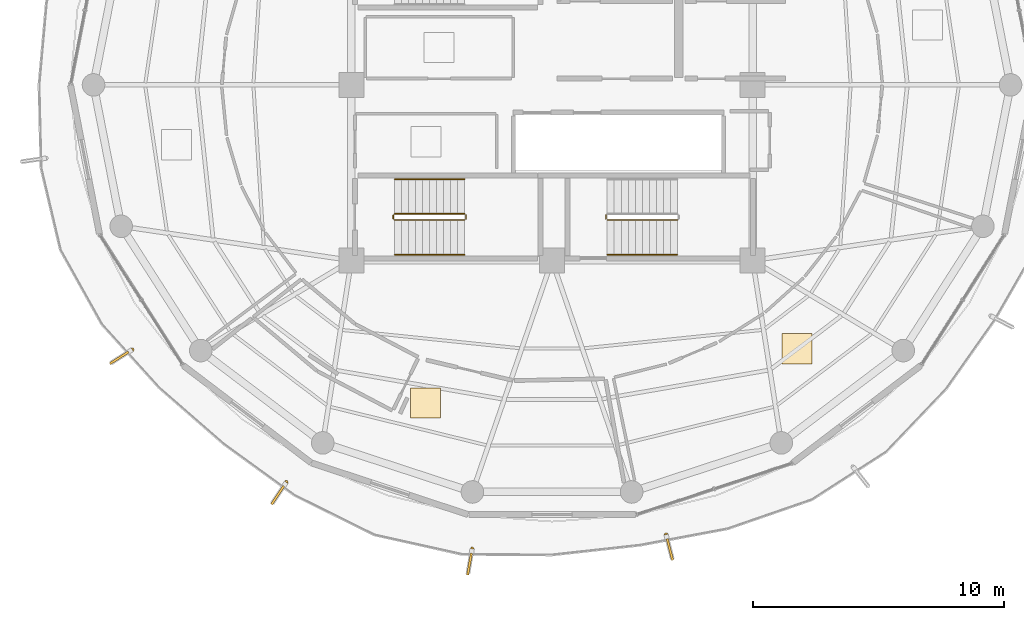
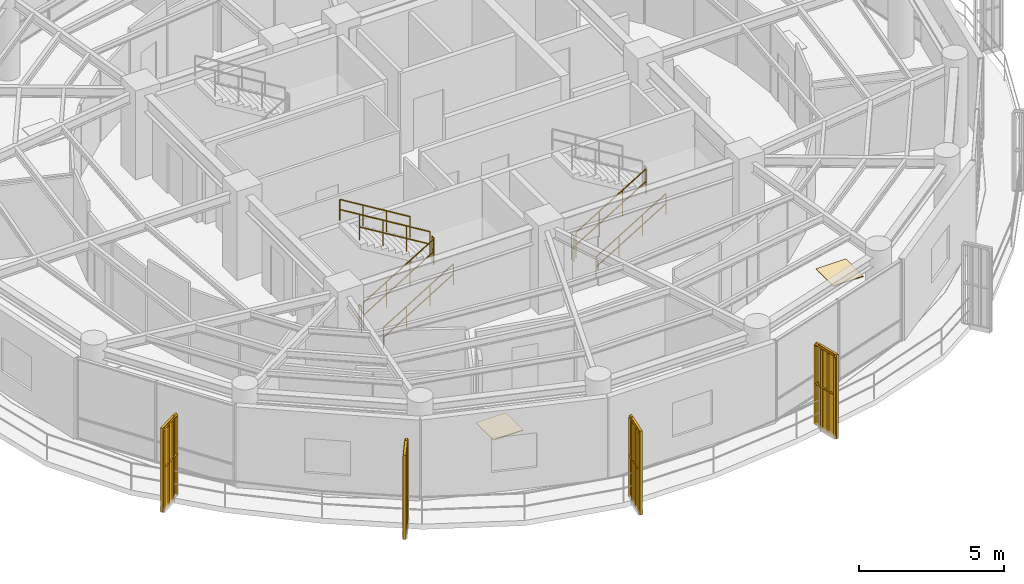
# One storey, part 20 of 23: 13 railings, 4 shading devices, 2 coverings.
"""IFC4 building model written with IfcOpenShell, lengths in metres."""

import ifcopenshell
import ifcopenshell.guid

model = None  # the IFC model being written
_history = None  # IfcOwnerHistory: only IFC2X3 demands one
_inside = {}  # id of a spatial element -> (the spatial element, [elements in it])
_under = {}  # id of a project, library or spatial element -> (it, [spatial elements below it])
_declared = {}  # id of a project -> (the project, [libraries it declares])
_typed = {}  # id of a type object -> (the type object, [elements of that type])
_made_of = {}  # id of a material, layer set ... -> (it, [elements and type objects made of it])


def new_model(schema):
    """Start an empty IFC model of exactly this schema.

    Asked for "IFC4X3", IfcOpenShell would pick the latest addendum, in which some entities
    have other attributes; the version numbers below select the first issue.
    IFC2X3 requires an IfcOwnerHistory on every rooted entity: one is made here for all.
    """
    global model, _history
    if schema == "IFC4X3":
        model = ifcopenshell.file(schema_version=(4, 3, 0, 0))
    else:
        model = ifcopenshell.file(schema=schema)
    _inside.clear()
    _under.clear()
    _declared.clear()
    _typed.clear()
    _made_of.clear()
    _history = None
    if model.schema == "IFC2X3":
        org = make("IfcOrganization", Name="unknown")
        user = make(
            "IfcPersonAndOrganization",
            ThePerson=make("IfcPerson", FamilyName="unknown"),
            TheOrganization=org,
        )
        app = make(
            "IfcApplication",
            ApplicationDeveloper=org,
            Version="unknown",
            ApplicationFullName="unknown",
            ApplicationIdentifier="unknown",
        )
        _history = make(
            "IfcOwnerHistory",
            OwningUser=user,
            OwningApplication=app,
            ChangeAction="ADDED",
            CreationDate=0,
        )
    return model


def make(cls, **values):
    """One entity of the class cls with the attributes given. An attribute that is None is left unset."""
    return model.create_entity(
        cls, **{name: value for name, value in values.items() if value is not None}
    )


def rooted(cls, **values):
    """An entity with a GlobalId (a new one), such as an element, a storey or a relation."""
    return make(cls, GlobalId=ifcopenshell.guid.new(), OwnerHistory=_history, **values)


def si_unit(unit_type, name, prefix=None):
    """IfcSIUnit, for example si_unit("LENGTHUNIT", "METRE", prefix="MILLI")."""
    return make("IfcSIUnit", UnitType=unit_type, Prefix=prefix, Name=name)


def assignment(units):
    """IfcUnitAssignment: the units of a project."""
    return None if units is None else make("IfcUnitAssignment", Units=units)


def point(xyz):
    """IfcCartesianPoint."""
    return None if xyz is None else make("IfcCartesianPoint", Coordinates=xyz)


def direction(xyz):
    """IfcDirection."""
    return None if xyz is None else make("IfcDirection", DirectionRatios=xyz)


def frame(location, z_axis=None, x_axis=None):
    """IfcAxis2Placement3D, a coordinate frame: its origin and axes. An axis left out is left unset."""
    return make(
        "IfcAxis2Placement3D",
        Location=point(location),
        Axis=direction(z_axis),
        RefDirection=direction(x_axis),
    )


def frame_2d(location, x_axis=None):
    """IfcAxis2Placement2D, a coordinate frame in the plane: its origin and x axis."""
    return make(
        "IfcAxis2Placement2D", Location=point(location), RefDirection=direction(x_axis)
    )


def origin():
    """The frame at (0, 0, 0) with its axes left unset."""
    return frame((0.0, 0.0, 0.0))


def origin_2d():
    """The frame at (0, 0) in the plane with its x axis left unset."""
    return frame_2d((0.0, 0.0))


def place(relative_to, where):
    """IfcLocalPlacement: puts the frame where relative to a parent placement (None: the world)."""
    return make(
        "IfcLocalPlacement", PlacementRelTo=relative_to, RelativePlacement=where
    )


def context(
    kind, dimensions, precision=None, world=None, true_north=None, identifier=None
):
    """IfcGeometricRepresentationContext, for example the 3D "Model" context."""
    return make(
        "IfcGeometricRepresentationContext",
        ContextIdentifier=identifier,
        ContextType=kind,
        CoordinateSpaceDimension=dimensions,
        Precision=precision,
        WorldCoordinateSystem=world,
        TrueNorth=true_north,
    )


def subcontext(parent, identifier, kind, view, scale=None):
    """IfcGeometricRepresentationSubContext, for example "Body" below "Model"."""
    return make(
        "IfcGeometricRepresentationSubContext",
        ContextIdentifier=identifier,
        ContextType=kind,
        ParentContext=parent,
        TargetScale=scale,
        TargetView=view,
    )


def project(units=None, contexts=None):
    """IfcProject with its units and contexts."""
    return rooted(
        "IfcProject",
        Name="project",
        RepresentationContexts=contexts,
        UnitsInContext=assignment(units),
    )


def spatial(cls, under=None, at=None, **own):
    """A site, building, storey or space (cls), placed at a placement, below another one or the project."""
    s = rooted(cls, ObjectPlacement=at, **own)
    if under is not None:
        _under.setdefault(under.id(), (under, []))[1].append(s)
    return s


def polyline(points):
    """IfcPolyline through the points."""
    return make("IfcPolyline", Points=[point(p) for p in points])


def profile(cls, at=None, kind="AREA", **sizes):
    """A parametric profile (cls). Its sizes go by their IFC names, for example OverallWidth=200.0."""
    return make(cls, ProfileType=kind, Position=at, **sizes)


def rectangle(**sizes):
    """IfcRectangleProfileDef."""
    return profile("IfcRectangleProfileDef", **sizes)


def outline(outer, holes=None, kind="AREA"):
    """IfcArbitraryClosedProfileDef: a profile drawn as a closed curve; with holes, ...WithVoids."""
    if holes is None:
        return make("IfcArbitraryClosedProfileDef", ProfileType=kind, OuterCurve=outer)
    return make(
        "IfcArbitraryProfileDefWithVoids",
        ProfileType=kind,
        OuterCurve=outer,
        InnerCurves=holes,
    )


def extrude(swept, where, along, depth):
    """IfcExtrudedAreaSolid: the profile swept, set in the frame where, extruded along a direction by depth."""
    return make(
        "IfcExtrudedAreaSolid",
        SweptArea=swept,
        Position=where,
        ExtrudedDirection=direction(along),
        Depth=depth,
    )


def shape(context_of_items, identifier, shape_type, items):
    """IfcShapeRepresentation: the items that make up one representation, for example the "Body"."""
    return make(
        "IfcShapeRepresentation",
        ContextOfItems=context_of_items,
        RepresentationIdentifier=identifier,
        RepresentationType=shape_type,
        Items=items,
    )


def source(mapping_origin, context_of_items, identifier, shape_type, items):
    """IfcRepresentationMap: a shape defined once, which mapped items show again and again."""
    return make(
        "IfcRepresentationMap",
        MappingOrigin=mapping_origin,
        MappedRepresentation=shape(context_of_items, identifier, shape_type, items),
    )


def transform(
    local_origin,
    x_axis=None,
    y_axis=None,
    z_axis=None,
    scale=None,
    scale2=None,
    scale3=None,
    uniform=True,
):
    """IfcCartesianTransformationOperator3D, or its non-uniform kind. x_axis, y_axis, z_axis: its Axis1, 2, 3."""
    if uniform:
        return make(
            "IfcCartesianTransformationOperator3D",
            Axis1=direction(x_axis),
            Axis2=direction(y_axis),
            LocalOrigin=point(local_origin),
            Scale=scale,
            Axis3=direction(z_axis),
        )
    return make(
        "IfcCartesianTransformationOperator3DnonUniform",
        Axis1=direction(x_axis),
        Axis2=direction(y_axis),
        LocalOrigin=point(local_origin),
        Scale=scale,
        Axis3=direction(z_axis),
        Scale2=scale2,
        Scale3=scale3,
    )


def mapped(mapping_source, mapping_target):
    """IfcMappedItem: shows the shape of a source again, moved by a transform."""
    return make(
        "IfcMappedItem", MappingSource=mapping_source, MappingTarget=mapping_target
    )


def material(Name=None, Category=None):
    """IfcMaterial."""
    return make("IfcMaterial", Name=Name, Category=Category)


def layer(
    of_material, thickness, ventilated=None, Name=None, Category=None, Priority=None
):
    """IfcMaterialLayer: one layer of a wall or slab, of a material (None: an air gap)."""
    return make(
        "IfcMaterialLayer",
        Material=of_material,
        LayerThickness=thickness,
        IsVentilated=ventilated,
        Name=Name,
        Category=Category,
        Priority=Priority,
    )


def layer_set(layers, Name=None):
    """IfcMaterialLayerSet."""
    return make("IfcMaterialLayerSet", MaterialLayers=layers, LayerSetName=Name)


def made_of(thing, what):
    """Note that an element or type object is made of a material, layer set ...; save() writes the relation."""
    if what is not None:
        _made_of.setdefault(what.id(), (what, []))[1].append(thing)
    return thing


def type_object(cls, material=None, **own):
    """A type object (cls), such as IfcWallType, which elements share."""
    return made_of(rooted(cls, **own), material)


def element(
    cls,
    number,
    at=None,
    inside=None,
    cuts=None,
    type_object=None,
    material=None,
    context=None,
    identifier="Body",
    shape_type=None,
    held_by="IfcProductDefinitionShape",
    body=None,
    shapes=None,
    **own,
):
    """One element of the class cls, such as IfcWall. Its Tag is "e" and its number.

    at: its placement. inside: the storey or other place that contains it. cuts: it is an
    opening in that element (IfcRelVoidsElement). A single representation is given by context,
    identifier, shape_type and body (its items); several are given by shapes. held_by: the class
    of the entity that holds the representations. save() writes the other relations.
    """
    e = rooted(cls, Tag="e%d" % number, ObjectPlacement=at, **own)
    if body is not None:
        shapes = [shape(context, identifier, shape_type, body)]
    if shapes is not None:
        e.Representation = make(held_by, Representations=shapes)
    if inside is not None:
        _inside.setdefault(inside.id(), (inside, []))[1].append(e)
    if cuts is not None:
        rooted(
            "IfcRelVoidsElement", RelatingBuildingElement=cuts, RelatedOpeningElement=e
        )
    if type_object is not None:
        _typed.setdefault(type_object.id(), (type_object, []))[1].append(e)
    return made_of(e, material)


def aggregate(whole, parts):
    """IfcRelAggregates: a whole, such as a stair, and the parts it consists of."""
    return rooted("IfcRelAggregates", RelatingObject=whole, RelatedObjects=parts)


def save(model, path):
    """Write the relations noted so far, then the file.

    IfcRelAggregates (storeys below a building ...), IfcRelContainedInSpatialStructure (elements
    in a storey), IfcRelDefinesByType, IfcRelAssociatesMaterial and IfcRelDeclares: one each for
    every whole, place, type object, material and project.
    """
    for whole, parts in _under.values():
        aggregate(whole, parts)
    for where, things in _inside.values():
        rooted(
            "IfcRelContainedInSpatialStructure",
            RelatedElements=things,
            RelatingStructure=where,
        )
    for kind, things in _typed.values():
        rooted("IfcRelDefinesByType", RelatedObjects=things, RelatingType=kind)
    for what, things in _made_of.values():
        rooted("IfcRelAssociatesMaterial", RelatedObjects=things, RelatingMaterial=what)
    for by, libraries in _declared.values():
        rooted("IfcRelDeclares", RelatingContext=by, RelatedDefinitions=libraries)
    model.write(path)


model = new_model("IFC4")

# Units and contexts
model_context = context("Model", 3, precision=1e-05, world=origin(), true_north=direction((0.0, 1.0)))
body_context = subcontext(model_context, "Body", "Model", "MODEL_VIEW")
ifc_project = project(units=[si_unit("LENGTHUNIT", "METRE"), si_unit("AREAUNIT", "SQUARE_METRE"), si_unit("VOLUMEUNIT", "CUBIC_METRE"), si_unit("PLANEANGLEUNIT", "RADIAN"), si_unit("MASSUNIT", "GRAM", prefix="KILO")], contexts=[model_context])

# Site, building, storey
site_placement = place(None, origin())
site = spatial("IfcSite", under=ifc_project, at=site_placement, CompositionType="ELEMENT")
building_placement = place(site_placement, origin())
building = spatial("IfcBuilding", under=site, at=building_placement, Name="Kelanora Arch Commons", CompositionType="ELEMENT")
storey_placement = place(building_placement, frame((0.0, 0.0, 289.949951171875)))
storey = spatial("IfcBuildingStorey", under=building, at=storey_placement, Name="L74", CompositionType="ELEMENT", Elevation=289.949951171875)

# Railings
ifc_material_1 = material(Name="Anodised bronze vertical shading fin rib assembly")
railing_type_1 = type_object("IfcRailingType", Name="RAIL-FIN-BRZ", PredefinedType="BALUSTRADE", material=ifc_material_1)
railing_1_placement = place(storey_placement, frame((57.26220703125, 47.4453125, -0.02001953125)))
element("IfcRailing", 1, at=railing_1_placement, inside=storey, type_object=railing_type_1, Name="Sweeping Bronze Vertical Fin Blade L74-09", PredefinedType="BALUSTRADE", context=body_context, shape_type="SweptSolid", body=[
    extrude(outline(polyline([(0.06982421875, 0.0), (0.034912109375, 0.060546875), (-0.034912109375, 0.060546875), (-0.06982421875, 0.0), (-0.034912109375, -0.060546875), (0.034912109375, -0.060546875), (0.06982421875, 0.0)])), frame((0.0, 0.0, 3.35986328125), z_axis=(-0.845842512672, -0.533432698432, 0.0), x_axis=(0.533432698432, -0.845842512672, 0.0)), (0.0, 0.0, 1.0), 0.951171875),
    extrude(outline(polyline([(0.06982421875, 0.0), (0.034912109375, 0.060546875), (-0.034912109375, 0.060546875), (-0.06982421875, 0.0), (-0.034912109375, -0.060546875), (0.034912109375, -0.060546875), (0.06982421875, 0.0)])), frame((0.0, 0.0, 1.71484375), z_axis=(-0.845842512672, -0.533432698432, 0.0), x_axis=(0.533432698432, -0.845842512672, 0.0)), (0.0, 0.0, 1.0), 0.951171875),
    extrude(outline(polyline([(0.080078125, 0.0), (0.0400390625, 0.0693359375), (-0.0400390625, 0.0693359375), (-0.080078125, 0.0), (-0.0400390625, -0.0693359375), (0.0400390625, -0.0693359375), (0.080078125, 0.0)])), origin(), (0.0, 0.0, 1.0), 3.2900390625),
    extrude(outline(polyline([(0.080078125, 0.0), (0.0400390625, 0.0693359375), (-0.0400390625, 0.0693359375), (-0.080078125, 0.0), (-0.0400390625, -0.0693359375), (0.0400390625, -0.0693359375), (0.080078125, 0.0)])), frame((-0.26806640625, -0.169189453125, 0.0)), (0.0, 0.0, 1.0), 3.2900390625),
    extrude(outline(polyline([(0.080078125, 0.0), (0.0400390625, 0.0693359375), (-0.0400390625, 0.0693359375), (-0.080078125, 0.0), (-0.0400390625, -0.0693359375), (0.0400390625, -0.0693359375), (0.080078125, 0.0)])), frame((-0.536376953125, -0.338134765625, 0.0)), (0.0, 0.0, 1.0), 3.2900390625),
    extrude(outline(polyline([(0.080078125, 0.0), (0.0400390625, 0.0693359375), (-0.0400390625, 0.0693359375), (-0.080078125, 0.0), (-0.0400390625, -0.0693359375), (0.0400390625, -0.0693359375), (0.080078125, 0.0)])), frame((-0.804443359375, -0.50732421875, 0.0)), (0.0, 0.0, 1.0), 3.2900390625),
])
railing_2_placement = place(storey_placement, frame((63.406005859375, 42.15380859375, -0.02001953125)))
element("IfcRailing", 2, at=railing_2_placement, inside=storey, type_object=railing_type_1, Name="Sweeping Bronze Vertical Fin Blade L74-10", PredefinedType="BALUSTRADE", context=body_context, shape_type="SweptSolid", body=[
    extrude(outline(polyline([(0.06982421875, 0.0), (0.034912109375, 0.060546875), (-0.034912109375, 0.060546875), (-0.06982421875, 0.0), (-0.034912109375, -0.060546875), (0.034912109375, -0.060546875), (0.06982421875, 0.0)])), frame((0.0, 0.0, 3.35986328125), z_axis=(-0.555944005472, -0.831219743978, 0.0), x_axis=(0.831219743978, -0.555944005472, 0.0)), (0.0, 0.0, 1.0), 0.95068359375),
    extrude(outline(polyline([(0.06982421875, 0.0), (0.034912109375, 0.060546875), (-0.034912109375, 0.060546875), (-0.06982421875, 0.0), (-0.034912109375, -0.060546875), (0.034912109375, -0.060546875), (0.06982421875, 0.0)])), frame((0.0, 0.0, 1.71484375), z_axis=(-0.555944005472, -0.831219743978, 0.0), x_axis=(0.831219743978, -0.555944005472, 0.0)), (0.0, 0.0, 1.0), 0.95068359375),
    extrude(outline(polyline([(0.080078125, 0.0), (0.0400390625, 0.0693359375), (-0.0400390625, 0.0693359375), (-0.080078125, 0.0), (-0.0400390625, -0.0693359375), (0.0400390625, -0.0693359375), (0.080078125, 0.0)])), origin(), (0.0, 0.0, 1.0), 3.2900390625),
    extrude(outline(polyline([(0.080078125, 0.0), (0.0400390625, 0.0693359375), (-0.0400390625, 0.0693359375), (-0.080078125, 0.0), (-0.0400390625, -0.0693359375), (0.0400390625, -0.0693359375), (0.080078125, 0.0)])), frame((-0.17626953125, -0.263427734375, 0.0)), (0.0, 0.0, 1.0), 3.2900390625),
    extrude(outline(polyline([(0.080078125, 0.0), (0.0400390625, 0.0693359375), (-0.0400390625, 0.0693359375), (-0.080078125, 0.0), (-0.0400390625, -0.0693359375), (0.0400390625, -0.0693359375), (0.080078125, 0.0)])), frame((-0.352294921875, -0.52685546875, 0.0)), (0.0, 0.0, 1.0), 3.2900390625),
    extrude(outline(polyline([(0.080078125, 0.0), (0.0400390625, 0.0693359375), (-0.0400390625, 0.0693359375), (-0.080078125, 0.0), (-0.0400390625, -0.0693359375), (0.0400390625, -0.0693359375), (0.080078125, 0.0)])), frame((-0.528564453125, -0.790283203125, 0.0)), (0.0, 0.0, 1.0), 3.2900390625),
])
railing_3_placement = place(storey_placement, frame((70.816650390625, 39.502685546875, -0.02001953125)))
element("IfcRailing", 3, at=railing_3_placement, inside=storey, type_object=railing_type_1, Name="Sweeping Bronze Vertical Fin Blade L74-11", PredefinedType="BALUSTRADE", context=body_context, shape_type="SweptSolid", body=[
    extrude(outline(polyline([(0.06982421875, 0.0), (0.034912109375, 0.060546875), (-0.034912109375, 0.060546875), (-0.06982421875, 0.0), (-0.034912109375, -0.060546875), (0.034912109375, -0.060546875), (0.06982421875, 0.0)])), frame((0.0, 0.0, 3.35986328125), z_axis=(-0.169726342991, -0.985491232074, 0.0), x_axis=(0.985491232074, -0.169726342991, 0.0)), (0.0, 0.0, 1.0), 0.950927734375),
    extrude(outline(polyline([(0.06982421875, 0.0), (0.034912109375, 0.060546875), (-0.034912109375, 0.060546875), (-0.06982421875, 0.0), (-0.034912109375, -0.060546875), (0.034912109375, -0.060546875), (0.06982421875, 0.0)])), frame((0.0, 0.0, 1.71484375), z_axis=(-0.169726342991, -0.985491232074, 0.0), x_axis=(0.985491232074, -0.169726342991, 0.0)), (0.0, 0.0, 1.0), 0.950927734375),
    extrude(outline(polyline([(0.080078125, 0.0), (0.0400390625, 0.0693359375), (-0.0400390625, 0.0693359375), (-0.080078125, 0.0), (-0.0400390625, -0.0693359375), (0.0400390625, -0.0693359375), (0.080078125, 0.0)])), origin(), (0.0, 0.0, 1.0), 3.2900390625),
    extrude(outline(polyline([(0.080078125, 0.0), (0.0400390625, 0.0693359375), (-0.0400390625, 0.0693359375), (-0.080078125, 0.0), (-0.0400390625, -0.0693359375), (0.0400390625, -0.0693359375), (0.080078125, 0.0)])), frame((-0.0537109375, -0.312255859375, 0.0)), (0.0, 0.0, 1.0), 3.2900390625),
    extrude(outline(polyline([(0.080078125, 0.0), (0.0400390625, 0.0693359375), (-0.0400390625, 0.0693359375), (-0.080078125, 0.0), (-0.0400390625, -0.0693359375), (0.0400390625, -0.0693359375), (0.080078125, 0.0)])), frame((-0.107666015625, -0.624755859375, 0.0)), (0.0, 0.0, 1.0), 3.2900390625),
    extrude(outline(polyline([(0.080078125, 0.0), (0.0400390625, 0.0693359375), (-0.0400390625, 0.0693359375), (-0.080078125, 0.0), (-0.0400390625, -0.0693359375), (0.0400390625, -0.0693359375), (0.080078125, 0.0)])), frame((-0.161376953125, -0.93701171875, 0.0)), (0.0, 0.0, 1.0), 3.2900390625),
])
railing_4_placement = place(storey_placement, frame((78.5478515625, 40.072998046875, -0.02001953125)))
element("IfcRailing", 4, at=railing_4_placement, inside=storey, type_object=railing_type_1, Name="Sweeping Bronze Vertical Fin Blade L74-12", PredefinedType="BALUSTRADE", context=body_context, shape_type="SweptSolid", body=[
    extrude(outline(polyline([(0.06982421875, 0.0), (0.034912109375, 0.060546875), (-0.034912109375, 0.060546875), (-0.06982421875, 0.0), (-0.034912109375, -0.060546875), (0.034912109375, -0.060546875), (0.06982421875, 0.0)])), frame((0.0, 0.0, 3.35986328125), z_axis=(0.245797655231, -0.969321160753, 0.0), x_axis=(0.969321160753, 0.245797655231, 0.0)), (0.0, 0.0, 1.0), 0.950439453125),
    extrude(outline(polyline([(0.06982421875, 0.0), (0.034912109375, 0.060546875), (-0.034912109375, 0.060546875), (-0.06982421875, 0.0), (-0.034912109375, -0.060546875), (0.034912109375, -0.060546875), (0.06982421875, 0.0)])), frame((0.0, 0.0, 1.71484375), z_axis=(0.245797655231, -0.969321160753, 0.0), x_axis=(0.969321160753, 0.245797655231, 0.0)), (0.0, 0.0, 1.0), 0.950439453125),
    extrude(outline(polyline([(0.080078125, 0.0), (0.0400390625, 0.0693359375), (-0.0400390625, 0.0693359375), (-0.080078125, 0.0), (-0.0400390625, -0.0693359375), (0.0400390625, -0.0693359375), (0.080078125, 0.0)])), origin(), (0.0, 0.0, 1.0), 3.2900390625),
    extrude(outline(polyline([(0.080078125, 0.0), (0.0400390625, 0.0693359375), (-0.0400390625, 0.0693359375), (-0.080078125, 0.0), (-0.0400390625, -0.0693359375), (0.0400390625, -0.0693359375), (0.080078125, 0.0)])), frame((0.077880859375, -0.30712890625, 0.0)), (0.0, 0.0, 1.0), 3.2900390625),
    extrude(outline(polyline([(0.080078125, 0.0), (0.0400390625, 0.0693359375), (-0.0400390625, 0.0693359375), (-0.080078125, 0.0), (-0.0400390625, -0.0693359375), (0.0400390625, -0.0693359375), (0.080078125, 0.0)])), frame((0.15576171875, -0.6142578125, 0.0)), (0.0, 0.0, 1.0), 3.2900390625),
    extrude(outline(polyline([(0.080078125, 0.0), (0.0400390625, 0.0693359375), (-0.0400390625, 0.0693359375), (-0.080078125, 0.0), (-0.0400390625, -0.0693359375), (0.0400390625, -0.0693359375), (0.080078125, 0.0)])), frame((0.233642578125, -0.92138671875, 0.0)), (0.0, 0.0, 1.0), 3.2900390625),
])
ifc_material_2 = material(Name="Painted steel stair well guard", Category="steel")
railing_type_2 = type_object("IfcRailingType", Name="RAIL-STAIR-GRD", PredefinedType="GUARDRAIL", material=ifc_material_2)
railing_5_placement = place(storey_placement, frame((76.199951171875, 52.610107421875, 0.17041015625)))
element("IfcRailing", 5, at=railing_5_placement, inside=storey, type_object=railing_type_2, Name="L74 ST-T2 stair guard 1", PredefinedType="GUARDRAIL", context=body_context, shape_type="SweptSolid", body=[
    extrude(outline(polyline([(0.02392578125, 0.0), (0.011962890625, 0.020751953125), (-0.011962890625, 0.020751953125), (-0.02392578125, 0.0), (-0.011962890625, -0.020751953125), (0.011962890625, -0.020751953125), (0.02392578125, 0.0)])), frame((0.0, 0.0, 1.076171875), z_axis=(0.854169791009, 0.0, 0.51999420009), x_axis=(0.0, 1.0, 0.0)), (0.0, 0.0, 1.0), 3.278076171875),
    extrude(outline(polyline([(0.02392578125, 0.0), (0.011962890625, 0.020751953125), (-0.011962890625, 0.020751953125), (-0.02392578125, 0.0), (-0.011962890625, -0.020751953125), (0.011962890625, -0.020751953125), (0.02392578125, 0.0)])), frame((0.0, 0.0, 0.550048828125), z_axis=(0.854169791009, 0.0, 0.51999420009), x_axis=(0.0, 1.0, 0.0)), (0.0, 0.0, 1.0), 3.278076171875),
    extrude(outline(polyline([(0.02099609375, 0.0), (0.010498046875, 0.01806640625), (-0.010498046875, 0.01806640625), (-0.02099609375, 0.0), (-0.010498046875, -0.01806640625), (0.010498046875, -0.01806640625), (0.02099609375, 0.0)])), origin(), (0.0, 0.0, 1.0), 1.052001953125),
    extrude(outline(polyline([(0.02099609375, 0.0), (0.010498046875, 0.01806640625), (-0.010498046875, 0.01806640625), (-0.02099609375, 0.0), (-0.010498046875, -0.01806640625), (0.010498046875, -0.01806640625), (0.02099609375, 0.0)])), frame((0.933349609375, 0.0, 0.568115234375)), (0.0, 0.0, 1.0), 1.052001953125),
    extrude(outline(polyline([(0.02099609375, 0.0), (0.010498046875, 0.01806640625), (-0.010498046875, 0.01806640625), (-0.02099609375, 0.0), (-0.010498046875, -0.01806640625), (0.010498046875, -0.01806640625), (0.02099609375, 0.0)])), frame((1.86669921875, 0.0, 1.136474609375)), (0.0, 0.0, 1.0), 1.052001953125),
    extrude(outline(polyline([(0.02099609375, 0.0), (0.010498046875, 0.01806640625), (-0.010498046875, 0.01806640625), (-0.02099609375, 0.0), (-0.010498046875, -0.01806640625), (0.010498046875, -0.01806640625), (0.02099609375, 0.0)])), frame((2.800048828125, 0.0, 1.70458984375)), (0.0, 0.0, 1.0), 1.052001953125),
])
railing_6_placement = place(storey_placement, frame((76.14990234375, 52.659912109375, 0.0)))
element("IfcRailing", 6, at=railing_6_placement, inside=storey, type_object=railing_type_2, Name="L74 ST-T2 stair guard 4", PredefinedType="GUARDRAIL", context=body_context, shape_type="SweptSolid", body=[
    extrude(outline(polyline([(0.02392578125, 0.0), (0.011962890625, 0.020751953125), (-0.011962890625, 0.020751953125), (-0.02392578125, 0.0), (-0.011962890625, -0.020751953125), (0.011962890625, -0.020751953125), (0.02392578125, 0.0)])), frame((0.0, 0.0, 1.076171875), z_axis=(0.0, 1.0, 0.0), x_axis=(-1.0, 0.0, 0.0)), (0.0, 0.0, 1.0), 0.150146484375),
    extrude(outline(polyline([(0.02392578125, 0.0), (0.011962890625, 0.020751953125), (-0.011962890625, 0.020751953125), (-0.02392578125, 0.0), (-0.011962890625, -0.020751953125), (0.011962890625, -0.020751953125), (0.02392578125, 0.0)])), frame((0.0, 0.0, 0.550048828125), z_axis=(0.0, 1.0, 0.0), x_axis=(-1.0, 0.0, 0.0)), (0.0, 0.0, 1.0), 0.150146484375),
    extrude(outline(polyline([(0.02099609375, 0.0), (0.010498046875, 0.01806640625), (-0.010498046875, 0.01806640625), (-0.02099609375, 0.0), (-0.010498046875, -0.01806640625), (0.010498046875, -0.01806640625), (0.02099609375, 0.0)])), origin(), (0.0, 0.0, 1.0), 1.052001953125),
    extrude(outline(polyline([(0.02099609375, 0.0), (0.010498046875, 0.01806640625), (-0.010498046875, 0.01806640625), (-0.02099609375, 0.0), (-0.010498046875, -0.01806640625), (0.010498046875, -0.01806640625), (0.02099609375, 0.0)])), frame((0.0, 0.150146484375, 0.0)), (0.0, 0.0, 1.0), 1.052001953125),
])
railing_7_placement = place(storey_placement, frame((67.719970703125, 52.610107421875, 0.17041015625)))
element("IfcRailing", 7, at=railing_7_placement, inside=storey, type_object=railing_type_2, Name="L74 ST-T3 stair guard 1", PredefinedType="GUARDRAIL", context=body_context, shape_type="SweptSolid", body=[
    extrude(outline(polyline([(0.02392578125, 0.0), (0.011962890625, 0.020751953125), (-0.011962890625, 0.020751953125), (-0.02392578125, 0.0), (-0.011962890625, -0.020751953125), (0.011962890625, -0.020751953125), (0.02392578125, 0.0)])), frame((0.0, 0.0, 1.076171875), z_axis=(0.854169791009, 0.0, 0.51999420009), x_axis=(0.0, 1.0, 0.0)), (0.0, 0.0, 1.0), 3.278076171875),
    extrude(outline(polyline([(0.02392578125, 0.0), (0.011962890625, 0.020751953125), (-0.011962890625, 0.020751953125), (-0.02392578125, 0.0), (-0.011962890625, -0.020751953125), (0.011962890625, -0.020751953125), (0.02392578125, 0.0)])), frame((0.0, 0.0, 0.550048828125), z_axis=(0.854169791009, 0.0, 0.51999420009), x_axis=(0.0, 1.0, 0.0)), (0.0, 0.0, 1.0), 3.278076171875),
    extrude(outline(polyline([(0.02099609375, 0.0), (0.010498046875, 0.01806640625), (-0.010498046875, 0.01806640625), (-0.02099609375, 0.0), (-0.010498046875, -0.01806640625), (0.010498046875, -0.01806640625), (0.02099609375, 0.0)])), origin(), (0.0, 0.0, 1.0), 1.052001953125),
    extrude(outline(polyline([(0.02099609375, 0.0), (0.010498046875, 0.01806640625), (-0.010498046875, 0.01806640625), (-0.02099609375, 0.0), (-0.010498046875, -0.01806640625), (0.010498046875, -0.01806640625), (0.02099609375, 0.0)])), frame((0.933349609375, 0.0, 0.568115234375)), (0.0, 0.0, 1.0), 1.052001953125),
    extrude(outline(polyline([(0.02099609375, 0.0), (0.010498046875, 0.01806640625), (-0.010498046875, 0.01806640625), (-0.02099609375, 0.0), (-0.010498046875, -0.01806640625), (0.010498046875, -0.01806640625), (0.02099609375, 0.0)])), frame((1.86669921875, 0.0, 1.136474609375)), (0.0, 0.0, 1.0), 1.052001953125),
    extrude(outline(polyline([(0.02099609375, 0.0), (0.010498046875, 0.01806640625), (-0.010498046875, 0.01806640625), (-0.02099609375, 0.0), (-0.010498046875, -0.01806640625), (0.010498046875, -0.01806640625), (0.02099609375, 0.0)])), frame((2.800048828125, 0.0, 1.70458984375)), (0.0, 0.0, 1.0), 1.052001953125),
])
railing_8_placement = place(storey_placement, frame((70.570068359375, 52.659912109375, 1.875)))
element("IfcRailing", 8, at=railing_8_placement, inside=storey, type_object=railing_type_2, Name="L74 ST-T3 stair guard 2", PredefinedType="GUARDRAIL", context=body_context, shape_type="SweptSolid", body=[
    extrude(outline(polyline([(0.02392578125, 0.0), (0.011962890625, 0.020751953125), (-0.011962890625, 0.020751953125), (-0.02392578125, 0.0), (-0.011962890625, -0.020751953125), (0.011962890625, -0.020751953125), (0.02392578125, 0.0)])), frame((0.0, 0.0, 1.076171875), z_axis=(0.0, 1.0, 0.0), x_axis=(-1.0, 0.0, 0.0)), (0.0, 0.0, 1.0), 0.150146484375),
    extrude(outline(polyline([(0.02392578125, 0.0), (0.011962890625, 0.020751953125), (-0.011962890625, 0.020751953125), (-0.02392578125, 0.0), (-0.011962890625, -0.020751953125), (0.011962890625, -0.020751953125), (0.02392578125, 0.0)])), frame((0.0, 0.0, 0.550048828125), z_axis=(0.0, 1.0, 0.0), x_axis=(-1.0, 0.0, 0.0)), (0.0, 0.0, 1.0), 0.150146484375),
    extrude(outline(polyline([(0.02099609375, 0.0), (0.010498046875, 0.01806640625), (-0.010498046875, 0.01806640625), (-0.02099609375, 0.0), (-0.010498046875, -0.01806640625), (0.010498046875, -0.01806640625), (0.02099609375, 0.0)])), origin(), (0.0, 0.0, 1.0), 1.052001953125),
    extrude(outline(polyline([(0.02099609375, 0.0), (0.010498046875, 0.01806640625), (-0.010498046875, 0.01806640625), (-0.02099609375, 0.0), (-0.010498046875, -0.01806640625), (0.010498046875, -0.01806640625), (0.02099609375, 0.0)])), frame((0.0, 0.150146484375, 0.0)), (0.0, 0.0, 1.0), 1.052001953125),
])
railing_9_placement = place(storey_placement, frame((70.52001953125, 52.860107421875, 2.04541015625)))
element("IfcRailing", 9, at=railing_9_placement, inside=storey, type_object=railing_type_2, Name="L74 ST-T3 stair guard 3", PredefinedType="GUARDRAIL", context=body_context, shape_type="SweptSolid", body=[
    extrude(outline(polyline([(0.02392578125, 0.0), (0.011962890625, 0.020751953125), (-0.011962890625, 0.020751953125), (-0.02392578125, 0.0), (-0.011962890625, -0.020751953125), (0.011962890625, -0.020751953125), (0.02392578125, 0.0)])), frame((0.0, 0.0, 1.076171875), z_axis=(-0.854169791009, 0.0, 0.51999420009), x_axis=(0.0, -1.0, 0.0)), (0.0, 0.0, 1.0), 3.278076171875),
    extrude(outline(polyline([(0.02392578125, 0.0), (0.011962890625, 0.020751953125), (-0.011962890625, 0.020751953125), (-0.02392578125, 0.0), (-0.011962890625, -0.020751953125), (0.011962890625, -0.020751953125), (0.02392578125, 0.0)])), frame((0.0, 0.0, 0.550048828125), z_axis=(-0.854169791009, 0.0, 0.51999420009), x_axis=(0.0, -1.0, 0.0)), (0.0, 0.0, 1.0), 3.278076171875),
    extrude(outline(polyline([(0.02099609375, 0.0), (0.010498046875, 0.01806640625), (-0.010498046875, 0.01806640625), (-0.02099609375, 0.0), (-0.010498046875, -0.01806640625), (0.010498046875, -0.01806640625), (0.02099609375, 0.0)])), origin(), (0.0, 0.0, 1.0), 1.052001953125),
    extrude(outline(polyline([(0.02099609375, 0.0), (0.010498046875, 0.01806640625), (-0.010498046875, 0.01806640625), (-0.02099609375, 0.0), (-0.010498046875, -0.01806640625), (0.010498046875, -0.01806640625), (0.02099609375, 0.0)])), frame((-0.933349609375, 0.0, 0.568115234375)), (0.0, 0.0, 1.0), 1.052001953125),
    extrude(outline(polyline([(0.02099609375, 0.0), (0.010498046875, 0.01806640625), (-0.010498046875, 0.01806640625), (-0.02099609375, 0.0), (-0.010498046875, -0.01806640625), (0.010498046875, -0.01806640625), (0.02099609375, 0.0)])), frame((-1.86669921875, 0.0, 1.136474609375)), (0.0, 0.0, 1.0), 1.052001953125),
    extrude(outline(polyline([(0.02099609375, 0.0), (0.010498046875, 0.01806640625), (-0.010498046875, 0.01806640625), (-0.02099609375, 0.0), (-0.010498046875, -0.01806640625), (0.010498046875, -0.01806640625), (0.02099609375, 0.0)])), frame((-2.800048828125, 0.0, 1.70458984375)), (0.0, 0.0, 1.0), 1.052001953125),
])
railing_10_placement = place(storey_placement, frame((67.669921875, 52.659912109375, 0.0)))
element("IfcRailing", 10, at=railing_10_placement, inside=storey, type_object=railing_type_2, Name="L74 ST-T3 stair guard 4", PredefinedType="GUARDRAIL", context=body_context, shape_type="SweptSolid", body=[
    extrude(outline(polyline([(0.02392578125, 0.0), (0.011962890625, 0.020751953125), (-0.011962890625, 0.020751953125), (-0.02392578125, 0.0), (-0.011962890625, -0.020751953125), (0.011962890625, -0.020751953125), (0.02392578125, 0.0)])), frame((0.0, 0.0, 1.076171875), z_axis=(0.0, 1.0, 0.0), x_axis=(-1.0, 0.0, 0.0)), (0.0, 0.0, 1.0), 0.150146484375),
    extrude(outline(polyline([(0.02392578125, 0.0), (0.011962890625, 0.020751953125), (-0.011962890625, 0.020751953125), (-0.02392578125, 0.0), (-0.011962890625, -0.020751953125), (0.011962890625, -0.020751953125), (0.02392578125, 0.0)])), frame((0.0, 0.0, 0.550048828125), z_axis=(0.0, 1.0, 0.0), x_axis=(-1.0, 0.0, 0.0)), (0.0, 0.0, 1.0), 0.150146484375),
    extrude(outline(polyline([(0.02099609375, 0.0), (0.010498046875, 0.01806640625), (-0.010498046875, 0.01806640625), (-0.02099609375, 0.0), (-0.010498046875, -0.01806640625), (0.010498046875, -0.01806640625), (0.02099609375, 0.0)])), origin(), (0.0, 0.0, 1.0), 1.052001953125),
    extrude(outline(polyline([(0.02099609375, 0.0), (0.010498046875, 0.01806640625), (-0.010498046875, 0.01806640625), (-0.02099609375, 0.0), (-0.010498046875, -0.01806640625), (0.010498046875, -0.01806640625), (0.02099609375, 0.0)])), frame((0.0, 0.150146484375, 0.0)), (0.0, 0.0, 1.0), 1.052001953125),
])
ifc_material_3 = material(Name="Brushed stainless steel stair handrail", Category="steel")
railing_type_3 = type_object("IfcRailingType", Name="RAIL-STAIR-HND", PredefinedType="HANDRAIL", material=ifc_material_3)
railing_11_placement = place(storey_placement, frame((76.199951171875, 51.22998046875, 0.17041015625)))
element("IfcRailing", 11, at=railing_11_placement, inside=storey, type_object=railing_type_3, Name="L74 ST-T2 stair handrail 1", PredefinedType="HANDRAIL", context=body_context, shape_type="SweptSolid", body=[
    extrude(outline(polyline([(0.02392578125, 0.0), (0.011962890625, 0.020751953125), (-0.011962890625, 0.020751953125), (-0.02392578125, 0.0), (-0.011962890625, -0.020751953125), (0.011962890625, -0.020751953125), (0.02392578125, 0.0)])), frame((0.0, 0.0, 0.8759765625), z_axis=(0.854169791009, 0.0, 0.51999420009), x_axis=(0.0, 1.0, 0.0)), (0.0, 0.0, 1.0), 3.278076171875),
    extrude(outline(polyline([(0.02392578125, 0.0), (0.011962890625, 0.020751953125), (-0.011962890625, 0.020751953125), (-0.02392578125, 0.0), (-0.011962890625, -0.020751953125), (0.011962890625, -0.020751953125), (0.02392578125, 0.0)])), frame((0.0, 0.0, 0.449951171875), z_axis=(0.854169791009, 0.0, 0.51999420009), x_axis=(0.0, 1.0, 0.0)), (0.0, 0.0, 1.0), 3.278076171875),
    extrude(outline(polyline([(0.02099609375, 0.0), (0.010498046875, 0.01806640625), (-0.010498046875, 0.01806640625), (-0.02099609375, 0.0), (-0.010498046875, -0.01806640625), (0.010498046875, -0.01806640625), (0.02099609375, 0.0)])), origin(), (0.0, 0.0, 1.0), 0.851806640625),
    extrude(outline(polyline([(0.02099609375, 0.0), (0.010498046875, 0.01806640625), (-0.010498046875, 0.01806640625), (-0.02099609375, 0.0), (-0.010498046875, -0.01806640625), (0.010498046875, -0.01806640625), (0.02099609375, 0.0)])), frame((0.933349609375, 0.0, 0.568115234375)), (0.0, 0.0, 1.0), 0.851806640625),
    extrude(outline(polyline([(0.02099609375, 0.0), (0.010498046875, 0.01806640625), (-0.010498046875, 0.01806640625), (-0.02099609375, 0.0), (-0.010498046875, -0.01806640625), (0.010498046875, -0.01806640625), (0.02099609375, 0.0)])), frame((1.86669921875, 0.0, 1.136474609375)), (0.0, 0.0, 1.0), 0.851806640625),
    extrude(outline(polyline([(0.02099609375, 0.0), (0.010498046875, 0.01806640625), (-0.010498046875, 0.01806640625), (-0.02099609375, 0.0), (-0.010498046875, -0.01806640625), (0.010498046875, -0.01806640625), (0.02099609375, 0.0)])), frame((2.800048828125, 0.0, 1.70458984375)), (0.0, 0.0, 1.0), 0.851806640625),
])
railing_12_placement = place(storey_placement, frame((67.719970703125, 51.22998046875, 0.17041015625)))
element("IfcRailing", 12, at=railing_12_placement, inside=storey, type_object=railing_type_3, Name="L74 ST-T3 stair handrail 1", PredefinedType="HANDRAIL", context=body_context, shape_type="SweptSolid", body=[
    extrude(outline(polyline([(0.02392578125, 0.0), (0.011962890625, 0.020751953125), (-0.011962890625, 0.020751953125), (-0.02392578125, 0.0), (-0.011962890625, -0.020751953125), (0.011962890625, -0.020751953125), (0.02392578125, 0.0)])), frame((0.0, 0.0, 0.8759765625), z_axis=(0.854169791009, 0.0, 0.51999420009), x_axis=(0.0, 1.0, 0.0)), (0.0, 0.0, 1.0), 3.278076171875),
    extrude(outline(polyline([(0.02392578125, 0.0), (0.011962890625, 0.020751953125), (-0.011962890625, 0.020751953125), (-0.02392578125, 0.0), (-0.011962890625, -0.020751953125), (0.011962890625, -0.020751953125), (0.02392578125, 0.0)])), frame((0.0, 0.0, 0.449951171875), z_axis=(0.854169791009, 0.0, 0.51999420009), x_axis=(0.0, 1.0, 0.0)), (0.0, 0.0, 1.0), 3.278076171875),
    extrude(outline(polyline([(0.02099609375, 0.0), (0.010498046875, 0.01806640625), (-0.010498046875, 0.01806640625), (-0.02099609375, 0.0), (-0.010498046875, -0.01806640625), (0.010498046875, -0.01806640625), (0.02099609375, 0.0)])), origin(), (0.0, 0.0, 1.0), 0.851806640625),
    extrude(outline(polyline([(0.02099609375, 0.0), (0.010498046875, 0.01806640625), (-0.010498046875, 0.01806640625), (-0.02099609375, 0.0), (-0.010498046875, -0.01806640625), (0.010498046875, -0.01806640625), (0.02099609375, 0.0)])), frame((0.933349609375, 0.0, 0.568115234375)), (0.0, 0.0, 1.0), 0.851806640625),
    extrude(outline(polyline([(0.02099609375, 0.0), (0.010498046875, 0.01806640625), (-0.010498046875, 0.01806640625), (-0.02099609375, 0.0), (-0.010498046875, -0.01806640625), (0.010498046875, -0.01806640625), (0.02099609375, 0.0)])), frame((1.86669921875, 0.0, 1.136474609375)), (0.0, 0.0, 1.0), 0.851806640625),
    extrude(outline(polyline([(0.02099609375, 0.0), (0.010498046875, 0.01806640625), (-0.010498046875, 0.01806640625), (-0.02099609375, 0.0), (-0.010498046875, -0.01806640625), (0.010498046875, -0.01806640625), (0.02099609375, 0.0)])), frame((2.800048828125, 0.0, 1.70458984375)), (0.0, 0.0, 1.0), 0.851806640625),
])
railing_13_placement = place(storey_placement, frame((70.52001953125, 54.239990234375, 2.04541015625)))
element("IfcRailing", 13, at=railing_13_placement, inside=storey, type_object=railing_type_3, Name="L74 ST-T3 stair handrail 2", PredefinedType="HANDRAIL", context=body_context, shape_type="SweptSolid", body=[
    extrude(outline(polyline([(0.02392578125, 0.0), (0.011962890625, 0.020751953125), (-0.011962890625, 0.020751953125), (-0.02392578125, 0.0), (-0.011962890625, -0.020751953125), (0.011962890625, -0.020751953125), (0.02392578125, 0.0)])), frame((0.0, 0.0, 0.8759765625), z_axis=(-0.854169791009, 0.0, 0.51999420009), x_axis=(0.0, -1.0, 0.0)), (0.0, 0.0, 1.0), 3.278076171875),
    extrude(outline(polyline([(0.02392578125, 0.0), (0.011962890625, 0.020751953125), (-0.011962890625, 0.020751953125), (-0.02392578125, 0.0), (-0.011962890625, -0.020751953125), (0.011962890625, -0.020751953125), (0.02392578125, 0.0)])), frame((0.0, 0.0, 0.449951171875), z_axis=(-0.854169791009, 0.0, 0.51999420009), x_axis=(0.0, -1.0, 0.0)), (0.0, 0.0, 1.0), 3.278076171875),
    extrude(outline(polyline([(0.02099609375, 0.0), (0.010498046875, 0.01806640625), (-0.010498046875, 0.01806640625), (-0.02099609375, 0.0), (-0.010498046875, -0.01806640625), (0.010498046875, -0.01806640625), (0.02099609375, 0.0)])), origin(), (0.0, 0.0, 1.0), 0.851806640625),
    extrude(outline(polyline([(0.02099609375, 0.0), (0.010498046875, 0.01806640625), (-0.010498046875, 0.01806640625), (-0.02099609375, 0.0), (-0.010498046875, -0.01806640625), (0.010498046875, -0.01806640625), (0.02099609375, 0.0)])), frame((-0.933349609375, 0.0, 0.568115234375)), (0.0, 0.0, 1.0), 0.851806640625),
    extrude(outline(polyline([(0.02099609375, 0.0), (0.010498046875, 0.01806640625), (-0.010498046875, 0.01806640625), (-0.02099609375, 0.0), (-0.010498046875, -0.01806640625), (0.010498046875, -0.01806640625), (0.02099609375, 0.0)])), frame((-1.86669921875, 0.0, 1.136474609375)), (0.0, 0.0, 1.0), 0.851806640625),
    extrude(outline(polyline([(0.02099609375, 0.0), (0.010498046875, 0.01806640625), (-0.010498046875, 0.01806640625), (-0.02099609375, 0.0), (-0.010498046875, -0.01806640625), (0.010498046875, -0.01806640625), (0.02099609375, 0.0)])), frame((-2.800048828125, 0.0, 1.70458984375)), (0.0, 0.0, 1.0), 0.851806640625),
])

# Shading devices
ifc_material_4 = material(Name="Terracotta ceramic-clad extruded aluminium fin", Category="masonry")
shading_device_type = type_object("IfcShadingDeviceType", Name="SHD-FIN-FLARE", PredefinedType="USERDEFINED", material=ifc_material_4)
shared_shape_1 = source(origin(), body_context, "Body", "SweptSolid", [
    extrude(rectangle(XDim=0.8798828125, YDim=0.090087890625, at=origin_2d()), origin(), (0.0, 0.0, 1.0), 3.550048828125),
])
for number, where, z_axis, x_axis, name in (
    (14, (56.741455078125, 47.116943359375, -0.14013671875), (0.0, 0.0, 1.0), (-0.845820942125, -0.533466900438, 0.0), "Sweeping Terracotta Fin L74-09"),
    (15, (63.06396484375, 41.642333984375, -0.14013671875), (0.0, 0.0, 1.0), (-0.555715343381, -0.831372634341, 0.0), "Sweeping Terracotta Fin L74-10"),
    (16, (70.712158203125, 38.89599609375, -0.14013671875), (0.0, 0.0, 1.0), (-0.169521513251, -0.985526486983, 0.0), "Sweeping Terracotta Fin L74-11"),
    (17, (78.69921875, 39.4765625, -0.14013671875), (0.0, 0.0, 1.0), (0.245984126575, -0.969273856799, 0.0), "Sweeping Terracotta Fin L74-12"),
):
    element("IfcShadingDevice", number, at=place(storey_placement, frame(where, z_axis=z_axis, x_axis=x_axis)), inside=storey, type_object=shading_device_type, Name=name, ObjectType="FIN", PredefinedType="USERDEFINED", context=body_context, shape_type="MappedRepresentation", body=[
        mapped(shared_shape_1, transform((0.0, 0.0, 0.0), scale=1.0)),
    ])

# Coverings
ifc_material_5 = material(Name="Polished local granite terrazzo flooring", Category="masonry")
ifc_layer = layer(ifc_material_5, 0.030029296875)
ifc_layer_set = layer_set([ifc_layer], Name="Polished local granite terrazzo flooring")
covering_type = type_object("IfcCoveringType", Name="COV-FLR-TER", PredefinedType="FLOORING", material=ifc_layer_set)
shared_shape_2 = source(origin(), body_context, "Body", "SweptSolid", [
    extrude(rectangle(XDim=1.199951171875, YDim=1.199951171875, at=origin_2d()), origin(), (0.0, 0.0, 1.0), 0.030029296875),
])
for number, where, z_axis, x_axis, name in (
    (18, (68.950927734375, 45.325927734375, 0.0), (0.0, 0.0, 1.0), (1.0, 0.0, 0.0), "Co-Living Studio L74-03 Terrazzo Finish"),
    (19, (83.766845703125, 47.47998046875, 0.0), (0.0, 0.0, 1.0), (1.0, 0.0, 0.0), "Quiet Seminar Study Room L74-04 Terrazzo Finish"),
):
    element("IfcCovering", number, at=place(storey_placement, frame(where, z_axis=z_axis, x_axis=x_axis)), inside=storey, type_object=covering_type, Name=name, PredefinedType="FLOORING", context=body_context, shape_type="MappedRepresentation", body=[
        mapped(shared_shape_2, transform((0.0, 0.0, 0.0), scale=1.0)),
    ])

save(model, "model.ifc")
